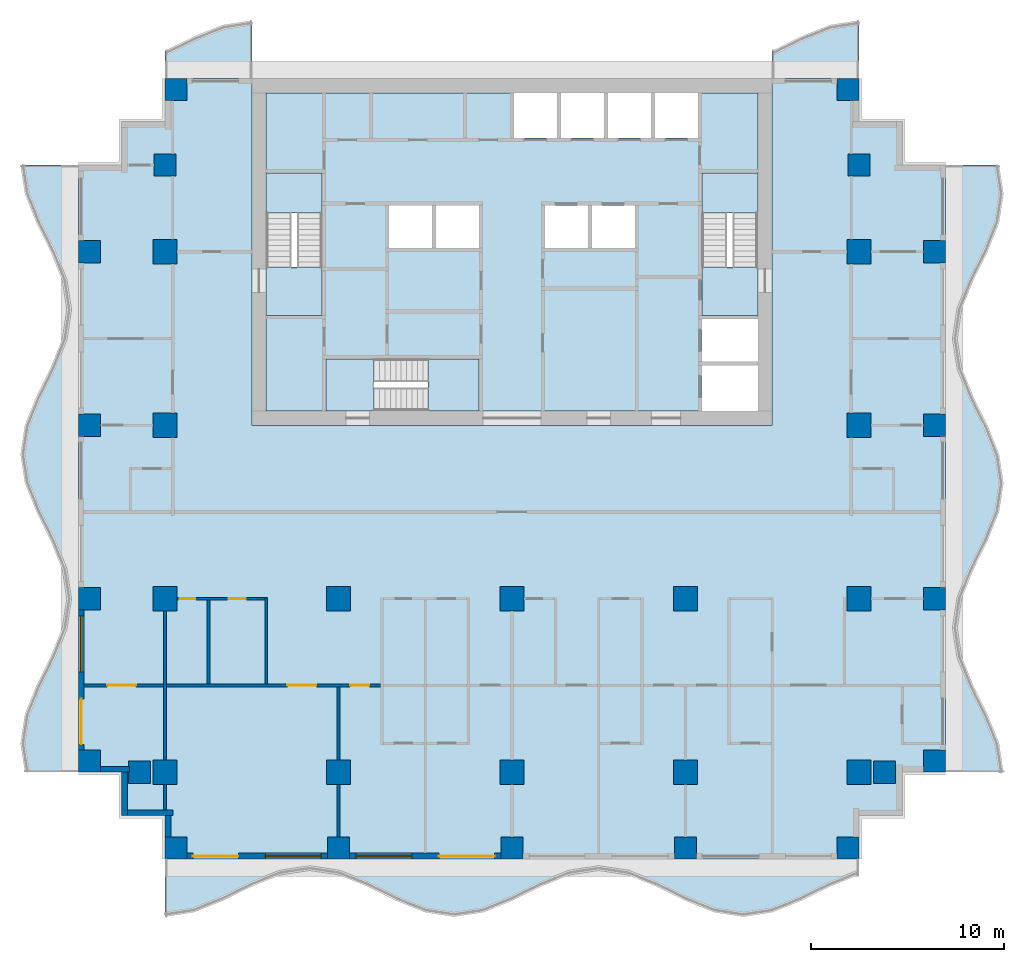
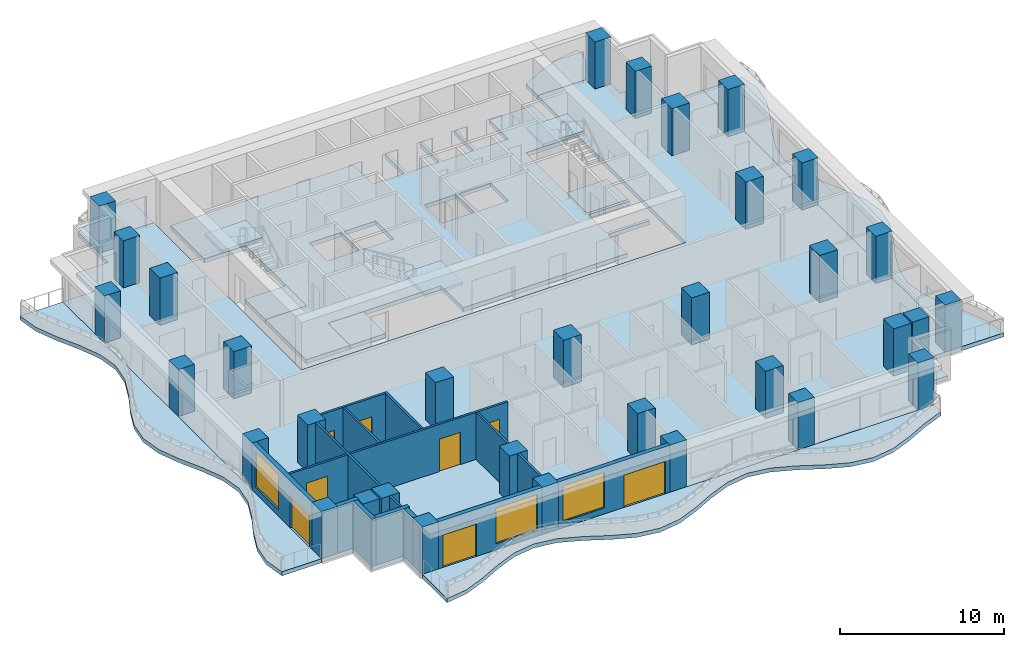
# One storey, part 1 of 10: 33 columns, 16 walls, 13 slabs, 8 doors, 3 windows, 11 openings, 3 elements without a shape of their own.
"""IFC4 building model written with IfcOpenShell, lengths in metres."""

from ifc_helpers import new_model, si_unit, direction, frame, frame_2d, origin, origin_2d, place, context, subcontext, project, spatial, polyline, rectangle, outline, extrude, material, layer, layer_set, material_profile, profile_set, type_object, element, fill, aggregate, save


model = new_model("IFC4")

# Units and contexts
model_context = context("Model", 3, precision=1e-05, world=origin(), true_north=direction((0.0, 1.0)))
body_context = subcontext(model_context, "Body", "Model", "MODEL_VIEW")
ifc_project = project(units=[si_unit("LENGTHUNIT", "METRE"), si_unit("AREAUNIT", "SQUARE_METRE"), si_unit("VOLUMEUNIT", "CUBIC_METRE"), si_unit("PLANEANGLEUNIT", "RADIAN"), si_unit("MASSUNIT", "GRAM", prefix="KILO")], contexts=[model_context])

# Site, building, storey
site_placement = place(None, origin())
site = spatial("IfcSite", under=ifc_project, at=site_placement, CompositionType="ELEMENT")
building_placement = place(site_placement, origin())
building = spatial("IfcBuilding", under=site, at=building_placement, Name="Orbiselva Terraces", CompositionType="ELEMENT")
storey_placement = place(building_placement, frame((0.0, 0.0, 151.6)))
storey = spatial("IfcBuildingStorey", under=building, at=storey_placement, Name="L38", CompositionType="ELEMENT", Elevation=151.6)

# Columns
ifc_material_1 = material(Name="Concrete C60/75", Category="concrete")
ifc_material_profile_1 = material_profile(ifc_material_1, rectangle(XDim=1.25, YDim=1.25, at=origin_2d()), Name="RC 1250x1250")
ifc_profile_set_1 = profile_set([ifc_material_profile_1], Name="Concrete C60/75")
column_type_1 = type_object("IfcColumnType", Name="COLUMN RC 1250x1250", PredefinedType="COLUMN", material=ifc_profile_set_1)
for number, where, z_axis, x_axis, name in (
    (1, (-18.0, -13.5, 0.0), (0.0, 0.0, 1.0), (1.0, 0.0, 0.0), "Column L38-01"),
    (2, (-18.0, -4.5, 0.0), (0.0, 0.0, 1.0), (1.0, 0.0, 0.0), "Column L38-03"),
    (3, (-18.0, 13.5, 0.0), (0.0, 0.0, 1.0), (1.0, 0.0, 0.0), "Column L38-04"),
    (4, (-18.0, 4.5, 0.0), (0.0, 0.0, 1.0), (1.0, 0.0, 0.0), "Column L38-06"),
    (5, (-9.0, -13.5, 0.0), (0.0, 0.0, 1.0), (1.0, 0.0, 0.0), "Column L38-13"),
    (6, (-9.0, -4.5, 0.0), (0.0, 0.0, 1.0), (1.0, 0.0, 0.0), "Column L38-15"),
    (7, (0.0, -13.5, 0.0), (0.0, 0.0, 1.0), (1.0, 0.0, 0.0), "Column L38-16"),
    (8, (0.0, -4.5, 0.0), (0.0, 0.0, 1.0), (1.0, 0.0, 0.0), "Column L38-18"),
    (9, (18.0, -13.5, 0.0), (0.0, 0.0, 1.0), (1.0, 0.0, 0.0), "Column L38-19"),
    (10, (18.0, -4.5, 0.0), (0.0, 0.0, 1.0), (1.0, 0.0, 0.0), "Column L38-21"),
    (11, (18.0, 13.5, 0.0), (0.0, 0.0, 1.0), (1.0, 0.0, 0.0), "Column L38-22"),
    (12, (18.0, 4.5, 0.0), (0.0, 0.0, 1.0), (1.0, 0.0, 0.0), "Column L38-24"),
    (13, (9.0, -13.5, 0.0), (0.0, 0.0, 1.0), (1.0, 0.0, 0.0), "Column L38-31"),
    (14, (9.0, -4.5, 0.0), (0.0, 0.0, 1.0), (1.0, 0.0, 0.0), "Column L38-33"),
):
    element("IfcColumn", number, at=place(storey_placement, frame(where, z_axis=z_axis, x_axis=x_axis)), inside=storey, type_object=column_type_1, Name=name, PredefinedType="COLUMN", context=body_context, shape_type="SweptSolid", body=[
        extrude(rectangle(XDim=1.25, YDim=1.25, at=origin_2d()), origin(), (0.0, 0.0, 1.0), 3.5),
    ])
ifc_material_profile_2 = material_profile(ifc_material_1, rectangle(XDim=1.15, YDim=1.15, at=origin_2d()), Name="RC 1150x1150")
ifc_profile_set_2 = profile_set([ifc_material_profile_2], Name="Concrete C60/75")
column_type_2 = type_object("IfcColumnType", Name="PERIMETER COLUMN RC 1150x1150", PredefinedType="COLUMN", material=ifc_profile_set_2)
for number, where, z_axis, x_axis, name in (
    (15, (-17.425, -17.425, 0.0), (0.0, 0.0, 1.0), (1.0, 0.0, 0.0), "Column L38-02"),
    (16, (-17.425, 21.925, 0.0), (0.0, 0.0, 1.0), (1.0, 0.0, 0.0), "Column L38-05"),
    (17, (-21.925, -12.925, 0.0), (0.0, 0.0, 1.0), (1.0, 0.0, 0.0), "Column L38-07"),
    (18, (-19.32, -13.5, 0.0), (0.0, 0.0, 1.0), (1.0, 0.0, 0.0), "Column L38-08"),
    (19, (-21.925, -4.5, 0.0), (0.0, 0.0, 1.0), (1.0, 0.0, 0.0), "Column L38-09"),
    (20, (-21.925, 13.5, 0.0), (0.0, 0.0, 1.0), (1.0, 0.0, 0.0), "Column L38-10"),
    (21, (-18.0, 18.0, 0.0), (0.0, 0.0, 1.0), (1.0, 0.0, 0.0), "Column L38-11"),
    (22, (-21.925, 4.5, 0.0), (0.0, 0.0, 1.0), (1.0, 0.0, 0.0), "Column L38-12"),
    (23, (-9.0, -17.425, 0.0), (0.0, 0.0, 1.0), (1.0, 0.0, 0.0), "Column L38-14"),
    (24, (0.0, -17.425, 0.0), (0.0, 0.0, 1.0), (1.0, 0.0, 0.0), "Column L38-17"),
    (25, (17.425, -17.425, 0.0), (0.0, 0.0, 1.0), (1.0, 0.0, 0.0), "Column L38-20"),
    (26, (17.425, 21.925, 0.0), (0.0, 0.0, 1.0), (1.0, 0.0, 0.0), "Column L38-23"),
    (27, (21.925, -12.925, 0.0), (0.0, 0.0, 1.0), (1.0, 0.0, 0.0), "Column L38-25"),
    (28, (19.32, -13.5, 0.0), (0.0, 0.0, 1.0), (1.0, 0.0, 0.0), "Column L38-26"),
    (29, (21.925, -4.5, 0.0), (0.0, 0.0, 1.0), (1.0, 0.0, 0.0), "Column L38-27"),
    (30, (21.925, 13.5, 0.0), (0.0, 0.0, 1.0), (1.0, 0.0, 0.0), "Column L38-28"),
    (31, (18.0, 18.0, 0.0), (0.0, 0.0, 1.0), (1.0, 0.0, 0.0), "Column L38-29"),
    (32, (21.925, 4.5, 0.0), (0.0, 0.0, 1.0), (1.0, 0.0, 0.0), "Column L38-30"),
    (33, (9.0, -17.425, 0.0), (0.0, 0.0, 1.0), (1.0, 0.0, 0.0), "Column L38-32"),
):
    element("IfcColumn", number, at=place(storey_placement, frame(where, z_axis=z_axis, x_axis=x_axis)), inside=storey, type_object=column_type_2, Name=name, PredefinedType="COLUMN", context=body_context, shape_type="SweptSolid", body=[
        extrude(rectangle(XDim=1.15, YDim=1.15, at=origin_2d()), origin(), (0.0, 0.0, 1.0), 3.5),
    ])

# Slabs
ifc_material_2 = material(Name="Concrete C40/50", Category="concrete")
ifc_layer_1 = layer(ifc_material_2, 0.3)
ifc_layer_set_1 = layer_set([ifc_layer_1], Name="Concrete C40/50")
slab_type_1 = type_object("IfcSlabType", Name="CORE-SLAB-FLOOR-300", PredefinedType="FLOOR", material=ifc_layer_set_1)
slab_1_placement = place(storey_placement, frame((0.0, 0.0, -0.3)))
element("IfcSlab", 34, at=slab_1_placement, inside=storey, type_object=slab_type_1, Name="L38 S1 floor landing", PredefinedType="FLOOR", context=body_context, shape_type="SweptSolid", body=[
    extrude(outline(polyline([(-12.75, 12.7), (-9.85, 12.7), (-9.85, 10.2), (-12.75, 10.2), (-12.75, 12.7)])), origin(), (0.0, 0.0, 1.0), 0.3),
])
slab_2_placement = place(storey_placement, frame((0.0, 0.0, -0.3)))
element("IfcSlab", 35, at=slab_2_placement, inside=storey, type_object=slab_type_1, Name="L38 S2 floor landing", PredefinedType="FLOOR", context=body_context, shape_type="SweptSolid", body=[
    extrude(outline(polyline([(12.75, 12.7), (12.75, 10.2), (9.85, 10.2), (9.85, 12.7), (12.75, 12.7)])), origin(), (0.0, 0.0, 1.0), 0.3),
])
slab_3_placement = place(storey_placement, frame((0.0, 0.0, -0.3)))
element("IfcSlab", 36, at=slab_3_placement, inside=storey, type_object=slab_type_1, Name="L38 S3 floor landing", PredefinedType="FLOOR", context=body_context, shape_type="SweptSolid", body=[
    extrude(outline(polyline([(-7.15, 5.25), (-9.65, 5.25), (-9.65, 7.95), (-7.15, 7.95), (-7.15, 5.25)])), origin(), (0.0, 0.0, 1.0), 0.3),
])
slab_4_placement = place(storey_placement, frame((0.0, 0.0, -0.3)))
element("IfcSlab", 37, at=slab_4_placement, inside=storey, type_object=slab_type_1, Name="L38 core floor slab 1", PredefinedType="FLOOR", context=body_context, shape_type="SweptSolid", body=[
    extrude(outline(polyline([(-1.7, 5.25), (-1.7, 7.95), (-9.65, 7.95), (-9.65, 5.25), (-12.75, 5.25), (-12.75, 10.2), (-9.85, 10.2), (-9.85, 17.6), (-12.75, 17.6), (-12.75, 21.75), (0.1, 21.75), (0.1, 19.4), (2.3375, 19.4), (2.3375, 21.75), (2.5375, 21.75), (2.5375, 19.4), (4.775, 19.4), (4.775, 21.75), (4.975, 21.75), (4.975, 19.4), (7.2125, 19.4), (7.2125, 21.75), (7.4125, 21.75), (7.4125, 19.4), (9.65, 19.4), (9.65, 21.75), (12.75, 21.75), (12.75, 17.6), (9.85, 17.6), (9.85, 10.2), (12.75, 10.2), (12.75, 10.0), (9.85, 10.0), (9.85, 7.8), (12.75, 7.8), (12.75, 7.6), (9.85, 7.6), (9.85, 5.25), (-1.7, 5.25)]), holes=[polyline([(-4.1375, 13.7), (-4.1375, 15.9), (-6.375, 15.9), (-6.375, 13.7), (-4.1375, 13.7)]), polyline([(-1.7, 13.7), (-1.7, 15.9), (-3.9375, 15.9), (-3.9375, 13.7), (-1.7, 13.7)]), polyline([(3.9375, 15.9), (1.7, 15.9), (1.7, 13.7), (3.9375, 13.7), (3.9375, 15.9)]), polyline([(6.375, 13.7), (6.375, 15.9), (4.1375, 15.9), (4.1375, 13.7), (6.375, 13.7)])]), origin(), (0.0, 0.0, 1.0), 0.3),
])

# Stair, slab
stair_type_1 = type_object("IfcStairType", Name="CORE-STAIR-1300", PredefinedType="HALF_TURN_STAIR", material=ifc_material_2)
stair_1_placement = place(storey_placement, origin())
stair_1 = element("IfcStair", 38, at=stair_1_placement, inside=storey, type_object=stair_type_1, Name="L38 Exit Stair S1", PredefinedType="HALF_TURN_STAIR")
ifc_layer_2 = layer(ifc_material_2, 0.2)
ifc_layer_set_2 = layer_set([ifc_layer_2], Name="Concrete C40/50")
slab_type_2 = type_object("IfcSlabType", Name="CORE-STAIR-LANDING-200", PredefinedType="LANDING", material=ifc_layer_set_2)
slab_5_placement = place(storey_placement, frame((0.0, 0.0, 1.7)))
slab_5 = element("IfcSlab", 39, at=slab_5_placement, type_object=slab_type_2, Name="S1 landing 1", PredefinedType="LANDING", context=body_context, shape_type="SweptSolid", body=[
    extrude(outline(polyline([(-9.85, 15.5), (-9.85, 17.6), (-12.75, 17.6), (-12.75, 15.5), (-9.85, 15.5)])), origin(), (0.0, 0.0, 1.0), 0.2),
])
aggregate(stair_1, [slab_5])

stair_2_placement = place(storey_placement, origin())
stair_2 = element("IfcStair", 40, at=stair_2_placement, inside=storey, type_object=stair_type_1, Name="L38 Exit Stair S2", PredefinedType="HALF_TURN_STAIR")
slab_6_placement = place(storey_placement, frame((0.0, 0.0, 1.7)))
slab_6 = element("IfcSlab", 41, at=slab_6_placement, type_object=slab_type_2, Name="S2 landing 1", PredefinedType="LANDING", context=body_context, shape_type="SweptSolid", body=[
    extrude(outline(polyline([(12.75, 15.5), (12.75, 17.6), (9.85, 17.6), (9.85, 15.5), (12.75, 15.5)])), origin(), (0.0, 0.0, 1.0), 0.2),
])
aggregate(stair_2, [slab_6])

stair_type_2 = type_object("IfcStairType", Name="CORE-STAIR-1200", PredefinedType="HALF_TURN_STAIR", material=ifc_material_2)
stair_3_placement = place(storey_placement, origin())
stair_3 = element("IfcStair", 42, at=stair_3_placement, inside=storey, type_object=stair_type_2, Name="L38 Exit Stair S3", PredefinedType="HALF_TURN_STAIR")
slab_7_placement = place(storey_placement, frame((0.0, 0.0, 1.7)))
slab_7 = element("IfcSlab", 43, at=slab_7_placement, type_object=slab_type_2, Name="S3 landing 1", PredefinedType="LANDING", context=body_context, shape_type="SweptSolid", body=[
    extrude(outline(polyline([(-4.35, 5.25), (-1.7, 5.25), (-1.7, 7.95), (-4.35, 7.95), (-4.35, 5.25)])), origin(), (0.0, 0.0, 1.0), 0.2),
])
aggregate(stair_3, [slab_7])

# Slabs
ifc_material_3 = material(Name="Concrete C50/60", Category="concrete")
ifc_layer_3 = layer(ifc_material_3, 0.3)
ifc_layer_set_3 = layer_set([ifc_layer_3], Name="Concrete C50/60")
slab_type_3 = type_object("IfcSlabType", Name="ENV-BALCONY-SLAB-300", PredefinedType="FLOOR", material=ifc_layer_set_3)
slab_8_placement = place(storey_placement, frame((0.0, 0.0, -0.3)))
element("IfcSlab", 44, at=slab_8_placement, inside=storey, type_object=slab_type_3, Name="Balcony slab L38 S", PredefinedType="FLOOR", context=body_context, shape_type="SweptSolid", body=[
    extrude(outline(polyline([(-18.0, -21.0), (-16.5, -20.77082), (-15.0, -20.17082), (-13.5, -19.42918), (-12.0, -18.82918), (-10.5, -18.6), (-9.0, -18.82918), (-7.5, -19.42918), (-6.0, -20.17082), (-4.5, -20.77082), (-3.0, -21.0), (-1.5, -20.77082), (0.0, -20.17082), (1.5, -19.42918), (3.0, -18.82918), (4.5, -18.6), (6.0, -18.82918), (7.5, -19.42918), (9.0, -20.17082), (10.5, -20.77082), (12.0, -21.0), (13.5, -20.77082), (15.0, -20.17082), (16.5, -19.42918), (18.0, -18.82918), (18.0, -18.0), (-18.0, -18.0), (-18.0, -21.0)])), origin(), (0.0, 0.0, 1.0), 0.3),
])
slab_9_placement = place(storey_placement, frame((0.0, 0.0, -0.3)))
element("IfcSlab", 45, at=slab_9_placement, inside=storey, type_object=slab_type_3, Name="Balcony slab L38 E", PredefinedType="FLOOR", context=body_context, shape_type="SweptSolid", body=[
    extrude(outline(polyline([(25.5, -13.5), (25.27082, -12.0), (24.67082, -10.5), (23.92918, -9.0), (23.32918, -7.5), (23.1, -6.0), (23.32918, -4.5), (23.92918, -3.0), (24.67082, -1.5), (25.27082, 0.0), (25.5, 1.5), (25.27082, 3.0), (24.67082, 4.5), (23.92918, 6.0), (23.32918, 7.5), (23.1, 9.0), (23.32918, 10.5), (23.92918, 12.0), (24.67082, 13.5), (25.27082, 15.0), (25.5, 16.5), (25.27082, 18.0), (22.5, 18.0), (22.5, -13.5), (25.5, -13.5)])), origin(), (0.0, 0.0, 1.0), 0.3),
])
slab_10_placement = place(storey_placement, frame((0.0, 0.0, -0.3)))
element("IfcSlab", 46, at=slab_10_placement, inside=storey, type_object=slab_type_3, Name="Balcony slab L38 NE", PredefinedType="FLOOR", context=body_context, shape_type="SweptSolid", body=[
    extrude(outline(polyline([(18.0, 25.5), (16.5, 25.27082), (15.0, 24.67082), (13.5, 23.92918), (13.5, 22.5), (18.0, 22.5), (18.0, 25.5)])), origin(), (0.0, 0.0, 1.0), 0.3),
])
slab_11_placement = place(storey_placement, frame((0.0, 0.0, -0.3)))
element("IfcSlab", 47, at=slab_11_placement, inside=storey, type_object=slab_type_3, Name="Balcony slab L38 NW", PredefinedType="FLOOR", context=body_context, shape_type="SweptSolid", body=[
    extrude(outline(polyline([(-13.5, 25.5), (-15.0, 25.27082), (-16.5, 24.67082), (-18.0, 23.92918), (-18.0, 22.5), (-13.5, 22.5), (-13.5, 25.5)])), origin(), (0.0, 0.0, 1.0), 0.3),
])
slab_12_placement = place(storey_placement, frame((0.0, 0.0, -0.3)))
element("IfcSlab", 48, at=slab_12_placement, inside=storey, type_object=slab_type_3, Name="Balcony slab L38 W", PredefinedType="FLOOR", context=body_context, shape_type="SweptSolid", body=[
    extrude(outline(polyline([(-25.5, 18.0), (-25.27082, 16.5), (-24.67082, 15.0), (-23.92918, 13.5), (-23.32918, 12.0), (-23.1, 10.5), (-23.32918, 9.0), (-23.92918, 7.5), (-24.67082, 6.0), (-25.27082, 4.5), (-25.5, 3.0), (-25.27082, 1.5), (-24.67082, 0.0), (-23.92918, -1.5), (-23.32918, -3.0), (-23.1, -4.5), (-23.32918, -6.0), (-23.92918, -7.5), (-24.67082, -9.0), (-25.27082, -10.5), (-25.5, -12.0), (-25.27082, -13.5), (-22.5, -13.5), (-22.5, 18.0), (-25.5, 18.0)])), origin(), (0.0, 0.0, 1.0), 0.3),
])
ifc_layer_4 = layer(ifc_material_3, 0.3)
ifc_layer_set_4 = layer_set([ifc_layer_4], Name="Concrete C50/60")
slab_type_4 = type_object("IfcSlabType", Name="FLOOR SLAB 300", PredefinedType="FLOOR", material=ifc_layer_set_4)
slab_13_placement = place(storey_placement, frame((0.0, 0.0, -0.3)))
element("IfcSlab", 49, at=slab_13_placement, inside=storey, type_object=slab_type_4, Name="Floor slab L38", PredefinedType="FLOOR", context=body_context, shape_type="SweptSolid", body=[
    extrude(outline(polyline([(18.0, 22.5), (18.0, 20.25), (20.25, 20.25), (20.25, 18.0), (22.5, 18.0), (22.5, -13.5), (20.25, -13.5), (20.25, -15.75), (18.0, -15.75), (18.0, -18.0), (-18.0, -18.0), (-18.0, -15.75), (-20.25, -15.75), (-20.25, -13.5), (-22.5, -13.5), (-22.5, 18.0), (-20.25, 18.0), (-20.25, 20.25), (-18.0, 20.25), (-18.0, 22.5), (-13.5, 22.5), (-13.5, 4.5), (13.5, 4.5), (13.5, 22.5), (18.0, 22.5)])), origin(), (0.0, 0.0, 1.0), 0.3),
])

# Wall, openings, door, window
ifc_material_4 = material(Name="Terracotta cladding on masonry backing", Category="masonry")
ifc_layer_5 = layer(ifc_material_4, 0.3)
ifc_layer_set_5 = layer_set([ifc_layer_5], Name="Terracotta cladding on masonry backing")
wall_type_1 = type_object("IfcWallType", Name="ENV-WALL-TERRACOTTA-300", PredefinedType="SOLIDWALL", material=ifc_layer_set_5)
wall_1_placement = place(storey_placement, frame((-9.575, -17.85, 0.0), z_axis=(0.0, 0.0, 1.0), x_axis=(-1.0, 0.0, 0.0)))
wall_1 = element("IfcWall", 50, at=wall_1_placement, inside=storey, type_object=wall_type_1, Name="Facade wall L38 S", PredefinedType="SOLIDWALL", context=body_context, shape_type="SweptSolid", body=[
    extrude(rectangle(XDim=7.275, YDim=0.3, at=frame_2d((3.6375, 0.0))), origin(), (0.0, 0.0, 1.0), 3.5),
])
opening_1_placement = place(wall_1_placement, frame((4.625, 0.0, 0.0)))
opening_1 = element("IfcOpeningElement", 51, at=opening_1_placement, cuts=wall_1, Name="Opening Z3-C-E01", PredefinedType="OPENING", context=body_context, shape_type="SweptSolid", body=[
    extrude(rectangle(XDim=2.35, YDim=2.4, at=frame_2d((1.175, 1.2))), frame((0.0, 0.16, 0.0), z_axis=(0.0, -1.0, 0.0), x_axis=(1.0, 0.0, 0.0)), (0.0, 0.0, 1.0), 0.32),
])
opening_2_placement = place(wall_1_placement, frame((0.325, 0.0, 0.45)))
opening_2 = element("IfcOpeningElement", 52, at=opening_2_placement, cuts=wall_1, Name="Opening WN8", PredefinedType="OPENING", context=body_context, shape_type="SweptSolid", body=[
    extrude(rectangle(XDim=2.9, YDim=2.65, at=frame_2d((1.45, 1.325))), frame((0.0, 0.16, 0.0), z_axis=(0.0, -1.0, 0.0), x_axis=(1.0, 0.0, 0.0)), (0.0, 0.0, 1.0), 0.32),
])
ifc_material_5 = material(Name="Clear low-e glazing in aluminium frame", Category="aluminium")
door_type_1 = type_object("IfcDoorType", Name="BALCONY DOOR 2350 X 2400", OperationType="DOUBLE_DOOR_SLIDING", PredefinedType="DOOR", material=ifc_material_5)
door_1_placement = place(opening_1_placement, origin())
door_1 = element("IfcDoor", 53, at=door_1_placement, inside=storey, type_object=door_type_1, Name="Z3-C-E01", OperationType="SINGLE_SWING_LEFT", OverallHeight=2.4, OverallWidth=2.35, PredefinedType="DOOR", context=body_context, shape_type="SweptSolid", body=[
    extrude(rectangle(XDim=2.35, YDim=2.4, at=frame_2d((1.175, 1.2))), frame((0.0, 0.025, 0.0), z_axis=(0.0, -1.0, 0.0), x_axis=(1.0, 0.0, 0.0)), (0.0, 0.0, 1.0), 0.05),
])
fill(opening_1, door_1)
window_type = type_object("IfcWindowType", Name="WINDOW 2900 X 2650 S450", PartitioningType="TRIPLE_PANEL_VERTICAL", PredefinedType="WINDOW", material=ifc_material_5)
window_1_placement = place(opening_2_placement, origin())
window_1 = element("IfcWindow", 54, at=window_1_placement, inside=storey, type_object=window_type, Name="Window L38 S", OverallHeight=2.65, OverallWidth=2.9, PartitioningType="SINGLE_PANEL", PredefinedType="WINDOW", context=body_context, shape_type="SweptSolid", body=[
    extrude(rectangle(XDim=2.9, YDim=2.65, at=frame_2d((1.45, 1.325))), frame((0.0, 0.03, 0.0), z_axis=(0.0, -1.0, 0.0), x_axis=(1.0, 0.0, 0.0)), (0.0, 0.0, 1.0), 0.06),
])
fill(opening_2, window_1)

wall_2_placement = place(storey_placement, frame((-0.575, -17.85, 0.0), z_axis=(0.0, 0.0, 1.0), x_axis=(-1.0, 0.0, 0.0)))
wall_2 = element("IfcWall", 55, at=wall_2_placement, inside=storey, type_object=wall_type_1, Name="Facade wall L38 S", PredefinedType="SOLIDWALL", context=body_context, shape_type="SweptSolid", body=[
    extrude(rectangle(XDim=7.85, YDim=0.3, at=frame_2d((3.925, 0.0))), origin(), (0.0, 0.0, 1.0), 3.5),
])
opening_3_placement = place(wall_2_placement, frame((4.625, 0.0, 0.45)))
opening_3 = element("IfcOpeningElement", 56, at=opening_3_placement, cuts=wall_2, Name="Opening WN8", PredefinedType="OPENING", context=body_context, shape_type="SweptSolid", body=[
    extrude(rectangle(XDim=2.9, YDim=2.65, at=frame_2d((1.45, 1.325))), frame((0.0, 0.16, 0.0), z_axis=(0.0, -1.0, 0.0), x_axis=(1.0, 0.0, 0.0)), (0.0, 0.0, 1.0), 0.32),
])
opening_4_placement = place(wall_2_placement, frame((0.325, 0.0, 0.0)))
opening_4 = element("IfcOpeningElement", 57, at=opening_4_placement, cuts=wall_2, Name="Opening Z3-C-E02", PredefinedType="OPENING", context=body_context, shape_type="SweptSolid", body=[
    extrude(rectangle(XDim=2.9, YDim=2.4, at=frame_2d((1.45, 1.2))), frame((0.0, 0.16, 0.0), z_axis=(0.0, -1.0, 0.0), x_axis=(1.0, 0.0, 0.0)), (0.0, 0.0, 1.0), 0.32),
])
door_type_2 = type_object("IfcDoorType", Name="BALCONY DOOR 2900 X 2400", OperationType="DOUBLE_DOOR_SLIDING", PredefinedType="DOOR", material=ifc_material_5)
door_2_placement = place(opening_4_placement, origin())
door_2 = element("IfcDoor", 58, at=door_2_placement, inside=storey, type_object=door_type_2, Name="Z3-C-E02", OperationType="SINGLE_SWING_LEFT", OverallHeight=2.4, OverallWidth=2.9, PredefinedType="DOOR", context=body_context, shape_type="SweptSolid", body=[
    extrude(rectangle(XDim=2.9, YDim=2.4, at=frame_2d((1.45, 1.2))), frame((0.0, 0.025, 0.0), z_axis=(0.0, -1.0, 0.0), x_axis=(1.0, 0.0, 0.0)), (0.0, 0.0, 1.0), 0.05),
])
fill(opening_4, door_2)
window_2_placement = place(opening_3_placement, origin())
window_2 = element("IfcWindow", 59, at=window_2_placement, inside=storey, type_object=window_type, Name="Window L38 S", OverallHeight=2.65, OverallWidth=2.9, PartitioningType="SINGLE_PANEL", PredefinedType="WINDOW", context=body_context, shape_type="SweptSolid", body=[
    extrude(rectangle(XDim=2.9, YDim=2.65, at=frame_2d((1.45, 1.325))), frame((0.0, 0.03, 0.0), z_axis=(0.0, -1.0, 0.0), x_axis=(1.0, 0.0, 0.0)), (0.0, 0.0, 1.0), 0.06),
])
fill(opening_3, window_2)

wall_3_placement = place(storey_placement, frame((-22.35, -12.35, 0.0), z_axis=(0.0, 0.0, 1.0), x_axis=(0.0, 1.0, 0.0)))
wall_3 = element("IfcWall", 60, at=wall_3_placement, inside=storey, type_object=wall_type_1, Name="Facade wall L38 W", PredefinedType="SOLIDWALL", context=body_context, shape_type="SweptSolid", body=[
    extrude(rectangle(XDim=7.275, YDim=0.3, at=frame_2d((3.6375, 0.0))), origin(), (0.0, 0.0, 1.0), 3.5),
])
opening_5_placement = place(wall_3_placement, frame((4.05, 0.0, 0.45)))
opening_5 = element("IfcOpeningElement", 61, at=opening_5_placement, cuts=wall_3, Name="Opening WN8", PredefinedType="OPENING", context=body_context, shape_type="SweptSolid", body=[
    extrude(rectangle(XDim=2.9, YDim=2.65, at=frame_2d((1.45, 1.325))), frame((0.0, 0.16, 0.0), z_axis=(0.0, -1.0, 0.0), x_axis=(1.0, 0.0, 0.0)), (0.0, 0.0, 1.0), 0.32),
])
opening_6_placement = place(wall_3_placement, frame((0.3, 0.0, 0.0)))
opening_6 = element("IfcOpeningElement", 62, at=opening_6_placement, cuts=wall_3, Name="Opening Z3-C-E12", PredefinedType="OPENING", context=body_context, shape_type="SweptSolid", body=[
    extrude(rectangle(XDim=2.35, YDim=2.4, at=frame_2d((1.175, 1.2))), frame((0.0, 0.16, 0.0), z_axis=(0.0, -1.0, 0.0), x_axis=(1.0, 0.0, 0.0)), (0.0, 0.0, 1.0), 0.32),
])
door_3_placement = place(opening_6_placement, origin())
door_3 = element("IfcDoor", 63, at=door_3_placement, inside=storey, type_object=door_type_1, Name="Z3-C-E12", OperationType="SINGLE_SWING_LEFT", OverallHeight=2.4, OverallWidth=2.35, PredefinedType="DOOR", context=body_context, shape_type="SweptSolid", body=[
    extrude(rectangle(XDim=2.35, YDim=2.4, at=frame_2d((1.175, 1.2))), frame((0.0, 0.025, 0.0), z_axis=(0.0, -1.0, 0.0), x_axis=(1.0, 0.0, 0.0)), (0.0, 0.0, 1.0), 0.05),
])
fill(opening_6, door_3)
window_3_placement = place(opening_5_placement, origin())
window_3 = element("IfcWindow", 64, at=window_3_placement, inside=storey, type_object=window_type, Name="Window L38 W", OverallHeight=2.65, OverallWidth=2.9, PartitioningType="SINGLE_PANEL", PredefinedType="WINDOW", context=body_context, shape_type="SweptSolid", body=[
    extrude(rectangle(XDim=2.9, YDim=2.65, at=frame_2d((1.45, 1.325))), frame((0.0, 0.03, 0.0), z_axis=(0.0, -1.0, 0.0), x_axis=(1.0, 0.0, 0.0)), (0.0, 0.0, 1.0), 0.06),
])
fill(opening_5, window_3)

# Walls
wall_4_placement = place(storey_placement, frame((-19.85, -13.35, 0.0), z_axis=(0.0, 0.0, 1.0), x_axis=(-1.0, 0.0, 0.0)))
element("IfcWall", 65, at=wall_4_placement, inside=storey, type_object=wall_type_1, Name="Facade wall L38 STEP", PredefinedType="SOLIDWALL", context=body_context, shape_type="SweptSolid", body=[
    extrude(rectangle(XDim=1.5, YDim=0.3, at=frame_2d((0.75, 0.0))), origin(), (0.0, 0.0, 1.0), 3.5),
])
wall_5_placement = place(storey_placement, frame((-20.1, -15.75, 0.0), z_axis=(0.0, 0.0, 1.0), x_axis=(0.0, 1.0, 0.0)))
element("IfcWall", 66, at=wall_5_placement, inside=storey, type_object=wall_type_1, Name="Facade wall L38 STEP", PredefinedType="SOLIDWALL", context=body_context, shape_type="SweptSolid", body=[
    extrude(rectangle(XDim=2.25, YDim=0.3, at=frame_2d((1.125, 0.0))), origin(), (0.0, 0.0, 1.0), 3.5),
])
wall_6_placement = place(storey_placement, frame((-17.6, -15.6, 0.0), z_axis=(0.0, 0.0, 1.0), x_axis=(-1.0, 0.0, 0.0)))
element("IfcWall", 67, at=wall_6_placement, inside=storey, type_object=wall_type_1, Name="Facade wall L38 STEP", PredefinedType="SOLIDWALL", context=body_context, shape_type="SweptSolid", body=[
    extrude(rectangle(XDim=2.35, YDim=0.3, at=frame_2d((1.175, 0.0))), origin(), (0.0, 0.0, 1.0), 3.5),
])
wall_7_placement = place(storey_placement, frame((-17.85, -16.85, 0.0), z_axis=(0.0, 0.0, 1.0), x_axis=(0.0, 1.0, 0.0)))
element("IfcWall", 68, at=wall_7_placement, inside=storey, type_object=wall_type_1, Name="Facade wall L38 STEP", PredefinedType="SOLIDWALL", context=body_context, shape_type="SweptSolid", body=[
    extrude(rectangle(XDim=1.1, YDim=0.3, at=frame_2d((0.55, 0.0))), origin(), (0.0, 0.0, 1.0), 3.5),
])

# Wall, opening, door
ifc_material_6 = material(Name="Plasterboard on steel stud partition", Category="steel")
ifc_layer_6 = layer(ifc_material_6, 0.15)
ifc_layer_set_6 = layer_set([ifc_layer_6], Name="Plasterboard on steel stud partition")
wall_type_2 = type_object("IfcWallType", Name="UNIT-PARTITION-150", PredefinedType="PARTITIONING", material=ifc_layer_set_6)
wall_8_placement = place(storey_placement, frame((-18.075, -9.0, 0.0), z_axis=(0.0, 0.0, 1.0), x_axis=(-1.0, 0.0, 0.0)))
wall_8 = element("IfcWall", 69, at=wall_8_placement, inside=storey, type_object=wall_type_2, Name="PARTITION L38-006", PredefinedType="PARTITIONING", context=body_context, shape_type="SweptSolid", body=[
    extrude(rectangle(XDim=4.125, YDim=0.15, at=frame_2d((2.0625, 0.0))), origin(), (0.0, 0.0, 1.0), 3.5),
])
opening_7_placement = place(wall_8_placement, frame((1.425, 0.0, 0.0)))
opening_7 = element("IfcOpeningElement", 70, at=opening_7_placement, cuts=wall_8, Name="Opening Z3-C-34", PredefinedType="OPENING", context=body_context, shape_type="SweptSolid", body=[
    extrude(rectangle(XDim=1.5, YDim=2.4, at=frame_2d((0.75, 1.2))), frame((0.0, 0.085, 0.0), z_axis=(0.0, -1.0, 0.0), x_axis=(1.0, 0.0, 0.0)), (0.0, 0.0, 1.0), 0.17),
])
ifc_material_7 = material(Name="Painted timber door leaf", Category="wood")
door_type_3 = type_object("IfcDoorType", Name="DOUBLE DOOR 1500", OperationType="NOTDEFINED", PredefinedType="DOOR", material=ifc_material_7)
door_4_placement = place(opening_7_placement, origin())
door_4 = element("IfcDoor", 71, at=door_4_placement, inside=storey, type_object=door_type_3, Name="Z3-C-34", OperationType="DOUBLE_DOOR_SINGLE_SWING", OverallHeight=2.4, OverallWidth=1.5, PredefinedType="DOOR", context=body_context, shape_type="SweptSolid", body=[
    extrude(rectangle(XDim=1.5, YDim=2.4, at=frame_2d((0.75, 1.2))), frame((0.0, 0.025, 0.0), z_axis=(0.0, -1.0, 0.0), x_axis=(1.0, 0.0, 0.0)), (0.0, 0.0, 1.0), 0.05),
])
fill(opening_7, door_4)

# Wall, openings, doors
wall_9_placement = place(storey_placement, frame((-6.825, -9.0, 0.0), z_axis=(0.0, 0.0, 1.0), x_axis=(-1.0, 0.0, 0.0)))
wall_9 = element("IfcWall", 72, at=wall_9_placement, inside=storey, type_object=wall_type_2, Name="PARTITION L38-007", PredefinedType="PARTITIONING", context=body_context, shape_type="SweptSolid", body=[
    extrude(rectangle(XDim=11.1, YDim=0.15, at=frame_2d((5.55, 0.0))), origin(), (0.0, 0.0, 1.0), 3.5),
])
opening_8_placement = place(wall_9_placement, frame((0.575, 0.0, 0.0)))
opening_8 = element("IfcOpeningElement", 73, at=opening_8_placement, cuts=wall_9, Name="Opening Z3-C-31", PredefinedType="OPENING", context=body_context, shape_type="SweptSolid", body=[
    extrude(rectangle(XDim=1.0, YDim=2.4, at=frame_2d((0.5, 1.2))), frame((0.0, 0.085, 0.0), z_axis=(0.0, -1.0, 0.0), x_axis=(1.0, 0.0, 0.0)), (0.0, 0.0, 1.0), 0.17),
])
opening_9_placement = place(wall_9_placement, frame((3.325, 0.0, 0.0)))
opening_9 = element("IfcOpeningElement", 74, at=opening_9_placement, cuts=wall_9, Name="Opening Z3-C-33", PredefinedType="OPENING", context=body_context, shape_type="SweptSolid", body=[
    extrude(rectangle(XDim=1.5, YDim=2.4, at=frame_2d((0.75, 1.2))), frame((0.0, 0.085, 0.0), z_axis=(0.0, -1.0, 0.0), x_axis=(1.0, 0.0, 0.0)), (0.0, 0.0, 1.0), 0.17),
])
door_5_placement = place(opening_9_placement, origin())
door_5 = element("IfcDoor", 75, at=door_5_placement, inside=storey, type_object=door_type_3, Name="Z3-C-33", OperationType="DOUBLE_DOOR_SINGLE_SWING", OverallHeight=2.4, OverallWidth=1.5, PredefinedType="DOOR", context=body_context, shape_type="SweptSolid", body=[
    extrude(rectangle(XDim=1.5, YDim=2.4, at=frame_2d((0.75, 1.2))), frame((0.0, 0.025, 0.0), z_axis=(0.0, -1.0, 0.0), x_axis=(1.0, 0.0, 0.0)), (0.0, 0.0, 1.0), 0.05),
])
fill(opening_9, door_5)
door_type_4 = type_object("IfcDoorType", Name="ROOM DOOR 1000", OperationType="NOTDEFINED", PredefinedType="DOOR", material=ifc_material_7)
door_6_placement = place(opening_8_placement, origin())
door_6 = element("IfcDoor", 76, at=door_6_placement, inside=storey, type_object=door_type_4, Name="Z3-C-31", OperationType="SINGLE_SWING_LEFT", OverallHeight=2.4, OverallWidth=1.0, PredefinedType="DOOR", context=body_context, shape_type="SweptSolid", body=[
    extrude(rectangle(XDim=1.0, YDim=2.4, at=frame_2d((0.5, 1.2))), frame((0.0, 0.025, 0.0), z_axis=(0.0, -1.0, 0.0), x_axis=(1.0, 0.0, 0.0)), (0.0, 0.0, 1.0), 0.05),
])
fill(opening_8, door_6)

wall_10_placement = place(storey_placement, frame((-12.825, -4.5, 0.0), z_axis=(0.0, 0.0, 1.0), x_axis=(-1.0, 0.0, 0.0)))
wall_10 = element("IfcWall", 77, at=wall_10_placement, inside=storey, type_object=wall_type_2, Name="PARTITION L38-016", PredefinedType="PARTITIONING", context=body_context, shape_type="SweptSolid", body=[
    extrude(rectangle(XDim=4.55, YDim=0.15, at=frame_2d((2.275, 0.0))), origin(), (0.0, 0.0, 1.0), 3.5),
])
opening_10_placement = place(wall_10_placement, frame((0.975, 0.0, 0.0)))
opening_10 = element("IfcOpeningElement", 78, at=opening_10_placement, cuts=wall_10, Name="Opening Z3-C-20", PredefinedType="OPENING", context=body_context, shape_type="SweptSolid", body=[
    extrude(rectangle(XDim=0.9, YDim=2.1, at=frame_2d((0.45, 1.05))), frame((0.0, 0.085, 0.0), z_axis=(0.0, -1.0, 0.0), x_axis=(1.0, 0.0, 0.0)), (0.0, 0.0, 1.0), 0.17),
])
opening_11_placement = place(wall_10_placement, frame((3.6, 0.0, 0.0)))
opening_11 = element("IfcOpeningElement", 79, at=opening_11_placement, cuts=wall_10, Name="Opening Z3-C-21", PredefinedType="OPENING", context=body_context, shape_type="SweptSolid", body=[
    extrude(rectangle(XDim=0.8, YDim=2.0, at=frame_2d((0.4, 1.0))), frame((0.0, 0.085, 0.0), z_axis=(0.0, -1.0, 0.0), x_axis=(1.0, 0.0, 0.0)), (0.0, 0.0, 1.0), 0.17),
])
door_type_5 = type_object("IfcDoorType", Name="SERVICE DOOR 900", OperationType="NOTDEFINED", PredefinedType="DOOR", material=ifc_material_7)
door_7_placement = place(opening_10_placement, origin())
door_7 = element("IfcDoor", 80, at=door_7_placement, inside=storey, type_object=door_type_5, Name="Z3-C-20", OperationType="SINGLE_SWING_LEFT", OverallHeight=2.1, OverallWidth=0.9, PredefinedType="DOOR", context=body_context, shape_type="SweptSolid", body=[
    extrude(rectangle(XDim=0.9, YDim=2.1, at=frame_2d((0.45, 1.05))), frame((0.0, 0.025, 0.0), z_axis=(0.0, -1.0, 0.0), x_axis=(1.0, 0.0, 0.0)), (0.0, 0.0, 1.0), 0.05),
])
fill(opening_10, door_7)
door_type_6 = type_object("IfcDoorType", Name="STORE DOOR 800", OperationType="NOTDEFINED", PredefinedType="DOOR", material=ifc_material_7)
door_8_placement = place(opening_11_placement, origin())
door_8 = element("IfcDoor", 81, at=door_8_placement, inside=storey, type_object=door_type_6, Name="Z3-C-21", OperationType="SINGLE_SWING_RIGHT", OverallHeight=2.0, OverallWidth=0.8, PredefinedType="DOOR", context=body_context, shape_type="SweptSolid", body=[
    extrude(rectangle(XDim=0.8, YDim=2.0, at=frame_2d((0.4, 1.0))), frame((0.0, 0.025, 0.0), z_axis=(0.0, -1.0, 0.0), x_axis=(1.0, 0.0, 0.0)), (0.0, 0.0, 1.0), 0.05),
])
fill(opening_11, door_8)

# Walls
wall_11_placement = place(storey_placement, frame((-18.0, -15.45, 0.0), z_axis=(0.0, 0.0, 1.0), x_axis=(0.0, 1.0, 0.0)))
element("IfcWall", 82, at=wall_11_placement, inside=storey, type_object=wall_type_2, Name="PARTITION L38-036", PredefinedType="PARTITIONING", context=body_context, shape_type="SweptSolid", body=[
    extrude(rectangle(XDim=1.325, YDim=0.15, at=frame_2d((0.6625, 0.0))), origin(), (0.0, 0.0, 1.0), 3.5),
])
wall_12_placement = place(storey_placement, frame((-18.0, -12.875, 0.0), z_axis=(0.0, 0.0, 1.0), x_axis=(0.0, 1.0, 0.0)))
element("IfcWall", 83, at=wall_12_placement, inside=storey, type_object=wall_type_2, Name="PARTITION L38-037", PredefinedType="PARTITIONING", context=body_context, shape_type="SweptSolid", body=[
    extrude(rectangle(XDim=7.75, YDim=0.15, at=frame_2d((3.875, 0.0))), origin(), (0.0, 0.0, 1.0), 3.5),
])
wall_13_placement = place(storey_placement, frame((-15.75, -8.925, 0.0), z_axis=(0.0, 0.0, 1.0), x_axis=(0.0, 1.0, 0.0)))
element("IfcWall", 84, at=wall_13_placement, inside=storey, type_object=wall_type_2, Name="PARTITION L38-042", PredefinedType="PARTITIONING", context=body_context, shape_type="SweptSolid", body=[
    extrude(rectangle(XDim=4.35, YDim=0.15, at=frame_2d((2.175, 0.0))), origin(), (0.0, 0.0, 1.0), 3.5),
])
wall_14_placement = place(storey_placement, frame((-12.75, -8.925, 0.0), z_axis=(0.0, 0.0, 1.0), x_axis=(0.0, 1.0, 0.0)))
element("IfcWall", 85, at=wall_14_placement, inside=storey, type_object=wall_type_2, Name="PARTITION L38-043", PredefinedType="PARTITIONING", context=body_context, shape_type="SweptSolid", body=[
    extrude(rectangle(XDim=4.5, YDim=0.15, at=frame_2d((2.25, 0.0))), origin(), (0.0, 0.0, 1.0), 3.5),
])
wall_15_placement = place(storey_placement, frame((-9.0, -16.85, 0.0), z_axis=(0.0, 0.0, 1.0), x_axis=(0.0, 1.0, 0.0)))
element("IfcWall", 86, at=wall_15_placement, inside=storey, type_object=wall_type_2, Name="PARTITION L38-044", PredefinedType="PARTITIONING", context=body_context, shape_type="SweptSolid", body=[
    extrude(rectangle(XDim=2.725, YDim=0.15, at=frame_2d((1.3625, 0.0))), origin(), (0.0, 0.0, 1.0), 3.5),
])
wall_16_placement = place(storey_placement, frame((-9.0, -12.875, 0.0), z_axis=(0.0, 0.0, 1.0), x_axis=(0.0, 1.0, 0.0)))
element("IfcWall", 87, at=wall_16_placement, inside=storey, type_object=wall_type_2, Name="PARTITION L38-045", PredefinedType="PARTITIONING", context=body_context, shape_type="SweptSolid", body=[
    extrude(rectangle(XDim=3.8, YDim=0.15, at=frame_2d((1.9, 0.0))), origin(), (0.0, 0.0, 1.0), 3.5),
])

save(model, "model.ifc")
